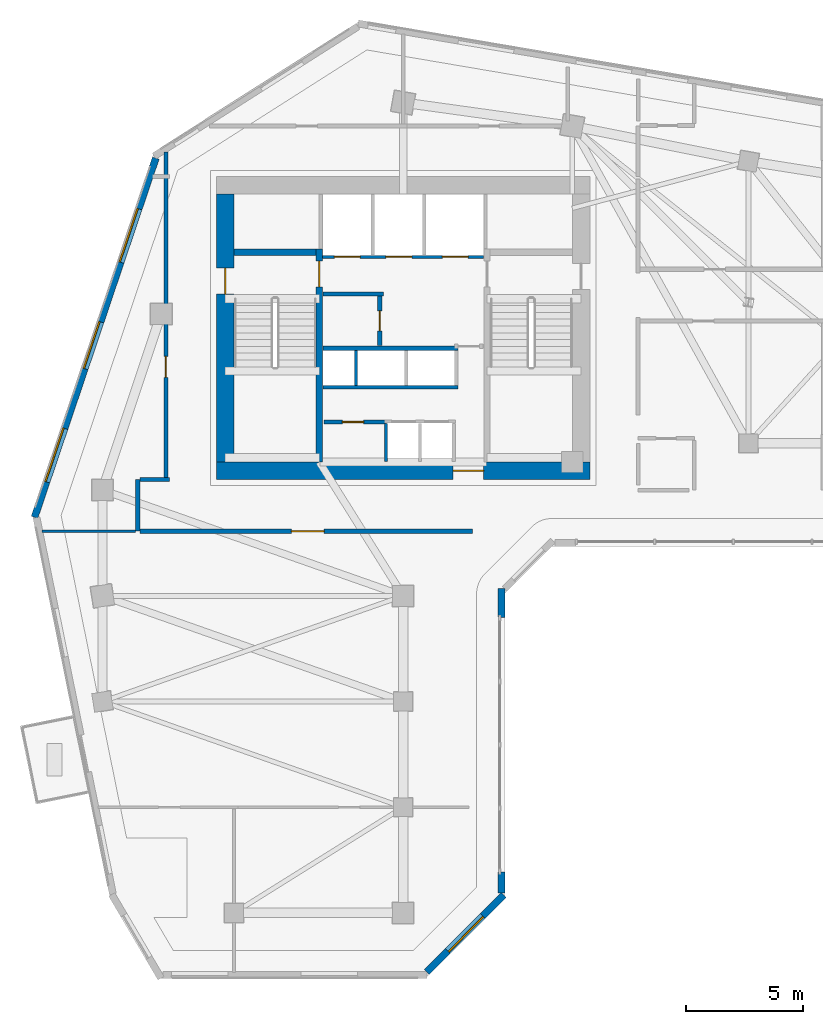
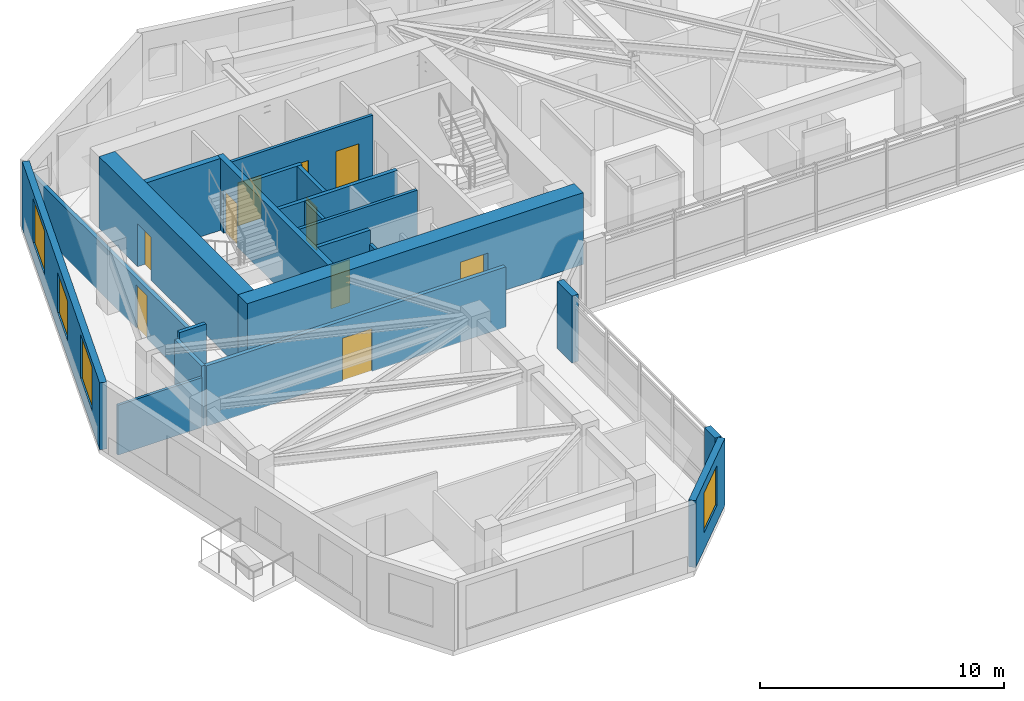
# One storey, part 5 of 11: 21 walls, 10 doors, 4 windows, 14 openings.
"""IFC4 building model written with IfcOpenShell, lengths in metres."""

from ifc_helpers import new_model, si_unit, direction, frame, frame_2d, origin, place, context, subcontext, project, spatial, rectangle, extrude, source, transform, mapped, material, layer, layer_set, type_object, element, fill, save


model = new_model("IFC4")

# Units and contexts
model_context = context("Model", 3, precision=1e-05, world=origin(), true_north=direction((0.0, 1.0)))
body_context = subcontext(model_context, "Body", "Model", "MODEL_VIEW")
ifc_project = project(units=[si_unit("LENGTHUNIT", "METRE"), si_unit("AREAUNIT", "SQUARE_METRE"), si_unit("VOLUMEUNIT", "CUBIC_METRE"), si_unit("PLANEANGLEUNIT", "RADIAN"), si_unit("MASSUNIT", "GRAM", prefix="KILO")], contexts=[model_context])

# Site, building, storey
site_placement = place(None, origin())
site = spatial("IfcSite", under=ifc_project, at=site_placement, CompositionType="ELEMENT")
building_placement = place(site_placement, origin())
building = spatial("IfcBuilding", under=site, at=building_placement, Name="Calvemar Wedge Station Tower", CompositionType="ELEMENT")
storey_placement = place(building_placement, frame((0.0, 0.0, 161.0)))
storey = spatial("IfcBuildingStorey", under=building, at=storey_placement, Name="L40", CompositionType="ELEMENT", Elevation=161.0)

# Wall, opening, door
ifc_material_1 = material(Name="Concrete C50", Category="concrete")
ifc_layer_1 = layer(ifc_material_1, 0.260009765625)
ifc_layer_set_1 = layer_set([ifc_layer_1], Name="Concrete C50")
wall_type_1 = type_object("IfcWallType", Name="SW-CORE-260", PredefinedType="SHEAR", material=ifc_layer_set_1)
wall_1_placement = place(storey_placement, frame((20.22998046875, 34.199951171875, 0.0), z_axis=(0.0, 0.0, 1.0), x_axis=(0.0, 1.0, 0.0)))
wall_1 = element("IfcWall", 1, at=wall_1_placement, inside=storey, type_object=wall_type_1, Name="Storey L40 Core Shear Wall SPINE-W", PredefinedType="SHEAR", context=body_context, shape_type="SweptSolid", body=[
    extrude(rectangle(XDim=9.06005859375, YDim=0.260009765625, at=frame_2d((4.530029296875, 0.0))), origin(), (0.0, 0.0, 1.0), 3.60009765625),
])
shared_shape_1 = source(origin(), body_context, "Body", "SweptSolid", [
    extrude(rectangle(XDim=1.10009765625, YDim=2.14990234375, at=frame_2d((0.550048828125, 1.074951171875))), frame((0.0, 0.14013671875, 0.0), z_axis=(0.0, -1.0, 0.0), x_axis=(1.0, 0.0, 0.0)), (0.0, 0.0, 1.0), 0.280029296875),
])
opening_1_placement = place(wall_1_placement, frame((7.449951171875, 0.0, 0.0)))
opening_1 = element("IfcOpeningElement", 2, at=opening_1_placement, cuts=wall_1, Name="Opening FD-90", PredefinedType="OPENING", context=body_context, shape_type="MappedRepresentation", body=[
    mapped(shared_shape_1, transform((0.0, 0.0, 0.0), scale=1.0)),
])
ifc_material_2 = material(Name="Galvanized fire-rated steel door leaf P-90", Category="steel")
door_type_1 = type_object("IfcDoorType", Name="DR-FD90-1100", OperationType="NOTDEFINED", PredefinedType="DOOR", material=ifc_material_2)
shared_shape_2 = source(origin(), body_context, "Body", "SweptSolid", [
    extrude(rectangle(XDim=1.10009765625, YDim=2.14990234375, at=frame_2d((0.550048828125, 1.074951171875))), frame((0.0, 0.02490234375, 0.0), z_axis=(0.0, -1.0, 0.0), x_axis=(1.0, 0.0, 0.0)), (0.0, 0.0, 1.0), 0.050048828125),
])
door_1_placement = place(opening_1_placement, origin())
door_1 = element("IfcDoor", 3, at=door_1_placement, inside=storey, type_object=door_type_1, Name="L40 FF Lobby to Stair ST-C1 Door", OperationType="SINGLE_SWING_RIGHT", OverallHeight=2.14990234375, OverallWidth=1.10009765625, PredefinedType="DOOR", context=body_context, shape_type="MappedRepresentation", body=[
    mapped(shared_shape_2, transform((0.0, 0.0, 0.0), scale=1.0)),
])
fill(opening_1, door_1)

# Wall
wall_2_placement = place(storey_placement, frame((16.60009765625, 43.1298828125, 0.0), z_axis=(0.0, 0.0, 1.0), x_axis=(1.0, 0.0, 0.0)))
element("IfcWall", 4, at=wall_2_placement, inside=storey, type_object=wall_type_1, Name="Storey L40 Core Shear Wall STC1-N", PredefinedType="SHEAR", context=body_context, shape_type="SweptSolid", body=[
    extrude(rectangle(XDim=3.5, YDim=0.260009765625, at=frame_2d((1.75, 0.0))), origin(), (0.0, 0.0, 1.0), 3.60009765625),
])

# Wall, opening, door
ifc_material_3 = material(Name="Concrete C70", Category="concrete")
ifc_layer_2 = layer(ifc_material_3, 0.75)
ifc_layer_set_2 = layer_set([ifc_layer_2], Name="Concrete C70")
wall_type_2 = type_object("IfcWallType", Name="SW-CORE-750", PredefinedType="SHEAR", material=ifc_layer_set_2)
wall_3_placement = place(storey_placement, frame((15.85009765625, 33.824951171875, 0.0), z_axis=(0.0, 0.0, 1.0), x_axis=(1.0, 0.0, 0.0)))
wall_3 = element("IfcWall", 5, at=wall_3_placement, inside=storey, type_object=wall_type_2, Name="Storey L40 Core Shear Wall S", PredefinedType="SHEAR", context=body_context, shape_type="SweptSolid", body=[
    extrude(rectangle(XDim=15.89990234375, YDim=0.75, at=frame_2d((7.949951171875, 0.0))), origin(), (0.0, 0.0, 1.0), 3.60009765625),
])
shared_shape_3 = source(origin(), body_context, "Body", "SweptSolid", [
    extrude(rectangle(XDim=1.300048828125, YDim=2.14990234375, at=frame_2d((0.64990234375, 1.074951171875))), frame((0.0, 0.385009765625, 0.0), z_axis=(0.0, -1.0, 0.0), x_axis=(1.0, 0.0, 0.0)), (0.0, 0.0, 1.0), 0.77001953125),
])
opening_2_placement = place(wall_3_placement, frame((10.080078125, 0.0, 0.0)))
opening_2 = element("IfcOpeningElement", 6, at=opening_2_placement, cuts=wall_3, Name="Opening DD-130", PredefinedType="OPENING", context=body_context, shape_type="MappedRepresentation", body=[
    mapped(shared_shape_3, transform((0.0, 0.0, 0.0), scale=1.0)),
])
ifc_material_4 = material(Name="Double-leaf lift lobby fire door EI 60")
door_type_2 = type_object("IfcDoorType", Name="DR-DBL-1300", OperationType="DOUBLE_DOOR_SINGLE_SWING", PredefinedType="DOOR", material=ifc_material_4)
shared_shape_4 = source(origin(), body_context, "Body", "SweptSolid", [
    extrude(rectangle(XDim=1.300048828125, YDim=2.14990234375, at=frame_2d((0.64990234375, 1.074951171875))), frame((0.0, 0.02490234375, 0.0), z_axis=(0.0, -1.0, 0.0), x_axis=(1.0, 0.0, 0.0)), (0.0, 0.0, 1.0), 0.050048828125),
])
door_2_placement = place(opening_2_placement, origin())
door_2 = element("IfcDoor", 7, at=door_2_placement, inside=storey, type_object=door_type_2, Name="L40 Passenger Lift Lobby Door", OperationType="DOUBLE_DOOR_SINGLE_SWING", OverallHeight=2.14990234375, OverallWidth=1.300048828125, PredefinedType="DOOR", context=body_context, shape_type="MappedRepresentation", body=[
    mapped(shared_shape_4, transform((0.0, 0.0, 0.0), scale=1.0)),
])
fill(opening_2, door_2)

wall_4_placement = place(storey_placement, frame((16.22509765625, 34.199951171875, 0.0), z_axis=(0.0, 0.0, 1.0), x_axis=(0.0, 1.0, 0.0)))
wall_4 = element("IfcWall", 8, at=wall_4_placement, inside=storey, type_object=wall_type_2, Name="Storey L40 Core Shear Wall W", PredefinedType="SHEAR", context=body_context, shape_type="SweptSolid", body=[
    extrude(rectangle(XDim=11.400146484375, YDim=0.75, at=frame_2d((5.7001953125, 0.0))), origin(), (0.0, 0.0, 1.0), 3.60009765625),
])
shared_shape_5 = source(origin(), body_context, "Body", "SweptSolid", [
    extrude(rectangle(XDim=1.10009765625, YDim=2.14990234375, at=frame_2d((0.550048828125, 1.074951171875))), frame((0.0, 0.385009765625, 0.0), z_axis=(0.0, -1.0, 0.0), x_axis=(1.0, 0.0, 0.0)), (0.0, 0.0, 1.0), 0.77001953125),
])
opening_3_placement = place(wall_4_placement, frame((7.14990234375, 0.0, 0.0)))
opening_3 = element("IfcOpeningElement", 9, at=opening_3_placement, cuts=wall_4, Name="Opening FD-90", PredefinedType="OPENING", context=body_context, shape_type="MappedRepresentation", body=[
    mapped(shared_shape_5, transform((0.0, 0.0, 0.0), scale=1.0)),
])
door_3_placement = place(opening_3_placement, origin())
door_3 = element("IfcDoor", 10, at=door_3_placement, inside=storey, type_object=door_type_1, Name="L40 West Corridor to Exit Stair ST-C1 Door", OperationType="SINGLE_SWING_RIGHT", OverallHeight=2.14990234375, OverallWidth=1.10009765625, PredefinedType="DOOR", context=body_context, shape_type="MappedRepresentation", body=[
    mapped(shared_shape_2, transform((0.0, 0.0, 0.0), scale=1.0)),
])
fill(opening_3, door_3)

# Wall
ifc_material_5 = material(Name="Double-stud fire-rated corridor partition")
ifc_layer_3 = layer(ifc_material_5, 0.179931640625)
ifc_layer_set_3 = layer_set([ifc_layer_3], Name="Double-stud fire-rated corridor partition")
wall_type_3 = type_object("IfcWallType", Name="W-CORR-180", PredefinedType="PARTITIONING", material=ifc_layer_set_3)
wall_5_placement = place(storey_placement, frame((22.9599609375, 41.35009765625, 0.0), z_axis=(0.0, 0.0, 1.0), x_axis=(-1.0, 0.0, 0.0)))
element("IfcWall", 11, at=wall_5_placement, inside=storey, type_object=wall_type_3, Name="Storey L40 Interior Partition WL-L40-001", PredefinedType="PARTITIONING", context=body_context, shape_type="SweptSolid", body=[
    extrude(rectangle(XDim=2.580078125, YDim=0.179931640625, at=frame_2d((1.2900390625, 0.0))), origin(), (0.0, 0.0, 1.0), 3.35009765625),
])

# Wall, opening, door
wall_6_placement = place(storey_placement, frame((22.800048828125, 41.256103515625, 0.0), z_axis=(0.0, 0.0, 1.0), x_axis=(0.0, -1.0, 0.0)))
wall_6 = element("IfcWall", 12, at=wall_6_placement, inside=storey, type_object=wall_type_3, Name="Storey L40 Interior Partition WL-L40-002", PredefinedType="PARTITIONING", context=body_context, shape_type="SweptSolid", body=[
    extrude(rectangle(XDim=2.106201171875, YDim=0.179931640625, at=frame_2d((1.05322265625, 0.0))), origin(), (0.0, 0.0, 1.0), 3.35009765625),
])
shared_shape_6 = source(origin(), body_context, "Body", "SweptSolid", [
    extrude(rectangle(XDim=0.85009765625, YDim=2.14990234375, at=frame_2d((0.425048828125, 1.074951171875))), frame((0.0, 0.10009765625, 0.0), z_axis=(0.0, -1.0, 0.0), x_axis=(1.0, 0.0, 0.0)), (0.0, 0.0, 1.0), 0.199951171875),
])
opening_4_placement = place(wall_6_placement, frame((0.6279296875, 0.0, 0.0)))
opening_4 = element("IfcOpeningElement", 13, at=opening_4_placement, cuts=wall_6, Name="Opening FD-60S", PredefinedType="OPENING", context=body_context, shape_type="MappedRepresentation", body=[
    mapped(shared_shape_6, transform((0.0, 0.0, 0.0), scale=1.0)),
])
ifc_material_6 = material(Name="Fire-rated steel and hardwood service door EI 60", Category="steel")
door_type_3 = type_object("IfcDoorType", Name="DR-CORE-FD60-850", OperationType="NOTDEFINED", PredefinedType="DOOR", material=ifc_material_6)
shared_shape_7 = source(origin(), body_context, "Body", "SweptSolid", [
    extrude(rectangle(XDim=0.85009765625, YDim=2.14990234375, at=frame_2d((0.425048828125, 1.074951171875))), frame((0.0, 0.02490234375, 0.0), z_axis=(0.0, -1.0, 0.0), x_axis=(1.0, 0.0, 0.0)), (0.0, 0.0, 1.0), 0.050048828125),
])
door_4_placement = place(opening_4_placement, origin())
door_4 = element("IfcDoor", 14, at=door_4_placement, inside=storey, type_object=door_type_3, Name="L40 Core Electrical Switch Room Door", OperationType="SINGLE_SWING_RIGHT", OverallHeight=2.14990234375, OverallWidth=0.85009765625, PredefinedType="DOOR", context=body_context, shape_type="MappedRepresentation", body=[
    mapped(shared_shape_7, transform((0.0, 0.0, 0.0), scale=1.0)),
])
fill(opening_4, door_4)

wall_7_placement = place(storey_placement, frame((20.419921875, 35.89990234375, 0.0), z_axis=(0.0, 0.0, 1.0), x_axis=(1.0, 0.0, 0.0)))
wall_7 = element("IfcWall", 15, at=wall_7_placement, inside=storey, type_object=wall_type_3, Name="Storey L40 Interior Partition WL-L40-004", PredefinedType="PARTITIONING", context=body_context, shape_type="SweptSolid", body=[
    extrude(rectangle(XDim=2.6201171875, YDim=0.179931640625, at=frame_2d((1.31005859375, 0.0))), origin(), (0.0, 0.0, 1.0), 3.35009765625),
])
shared_shape_8 = source(origin(), body_context, "Body", "SweptSolid", [
    extrude(rectangle(XDim=0.89990234375, YDim=2.14990234375, at=frame_2d((0.449951171875, 1.074951171875))), frame((0.0, 0.10009765625, 0.0), z_axis=(0.0, -1.0, 0.0), x_axis=(1.0, 0.0, 0.0)), (0.0, 0.0, 1.0), 0.199951171875),
])
opening_5_placement = place(wall_7_placement, frame((0.795654296875, 0.0, 0.0)))
opening_5 = element("IfcOpeningElement", 16, at=opening_5_placement, cuts=wall_7, Name="Opening FD-60", PredefinedType="OPENING", context=body_context, shape_type="MappedRepresentation", body=[
    mapped(shared_shape_8, transform((0.0, 0.0, 0.0), scale=1.0)),
])
ifc_material_7 = material(Name="Fire-rated acoustic timber-core entrance door EI 60", Category="wood")
door_type_4 = type_object("IfcDoorType", Name="DR-FD60-900", OperationType="NOTDEFINED", PredefinedType="DOOR", material=ifc_material_7)
shared_shape_9 = source(origin(), body_context, "Body", "SweptSolid", [
    extrude(rectangle(XDim=0.89990234375, YDim=2.14990234375, at=frame_2d((0.449951171875, 1.074951171875))), frame((0.0, 0.02490234375, 0.0), z_axis=(0.0, -1.0, 0.0), x_axis=(1.0, 0.0, 0.0)), (0.0, 0.0, 1.0), 0.050048828125),
])
door_5_placement = place(opening_5_placement, origin())
door_5 = element("IfcDoor", 17, at=door_5_placement, inside=storey, type_object=door_type_4, Name="L40 Housekeeping Store Door", OperationType="SINGLE_SWING_RIGHT", OverallHeight=2.14990234375, OverallWidth=0.89990234375, PredefinedType="DOOR", context=body_context, shape_type="MappedRepresentation", body=[
    mapped(shared_shape_9, transform((0.0, 0.0, 0.0), scale=1.0)),
])
fill(opening_5, door_5)

# Walls
wall_8_placement = place(storey_placement, frame((12.5, 31.25, 0.0), z_axis=(0.0, 0.0, 1.0), x_axis=(0.0, 1.0, 0.0)))
element("IfcWall", 18, at=wall_8_placement, inside=storey, type_object=wall_type_3, Name="Storey L40 Interior Partition WL-L40-005", PredefinedType="PARTITIONING", context=body_context, shape_type="SweptSolid", body=[
    extrude(rectangle(XDim=2.199951171875, YDim=0.179931640625, at=frame_2d((1.10009765625, 0.0))), origin(), (0.0, 0.0, 1.0), 3.01904296875),
])
wall_9_placement = place(storey_placement, frame((12.593994140625, 33.449951171875, 0.0), z_axis=(0.0, 0.0, 1.0), x_axis=(1.0, 0.0, 0.0)))
element("IfcWall", 19, at=wall_9_placement, inside=storey, type_object=wall_type_3, Name="Storey L40 Interior Partition WL-L40-006", PredefinedType="PARTITIONING", context=body_context, shape_type="SweptSolid", body=[
    extrude(rectangle(XDim=1.26611328125, YDim=0.179931640625, at=frame_2d((0.633056640625, 0.0))), origin(), (0.0, 0.0, 1.0), 3.35009765625),
])

# Wall, opening, door
wall_10_placement = place(storey_placement, frame((26.760009765625, 31.25, 0.0), z_axis=(0.0, 0.0, 1.0), x_axis=(-1.0, 0.0, 0.0)))
wall_10 = element("IfcWall", 20, at=wall_10_placement, inside=storey, type_object=wall_type_3, Name="Storey L40 Interior Partition WL-L40-007", PredefinedType="PARTITIONING", context=body_context, shape_type="SweptSolid", body=[
    extrude(rectangle(XDim=14.166015625, YDim=0.179931640625, at=frame_2d((7.0830078125, 0.0))), origin(), (0.0, 0.0, 1.0), 3.01904296875),
])
shared_shape_10 = source(origin(), body_context, "Body", "SweptSolid", [
    extrude(rectangle(XDim=1.39990234375, YDim=2.14990234375, at=frame_2d((0.699951171875, 1.074951171875))), frame((0.0, 0.10009765625, 0.0), z_axis=(0.0, -1.0, 0.0), x_axis=(1.0, 0.0, 0.0)), (0.0, 0.0, 1.0), 0.199951171875),
])
opening_6_placement = place(wall_10_placement, frame((6.322509765625, 0.0, 0.0)))
opening_6 = element("IfcOpeningElement", 21, at=opening_6_placement, cuts=wall_10, Name="Opening DD-140", PredefinedType="OPENING", context=body_context, shape_type="MappedRepresentation", body=[
    mapped(shared_shape_10, transform((0.0, 0.0, 0.0), scale=1.0)),
])
ifc_material_8 = material(Name="Double-leaf corridor acoustic fire door EI 60")
door_type_5 = type_object("IfcDoorType", Name="DR-DBL-1400", OperationType="DOUBLE_DOOR_SINGLE_SWING", PredefinedType="DOOR", material=ifc_material_8)
shared_shape_11 = source(origin(), body_context, "Body", "SweptSolid", [
    extrude(rectangle(XDim=1.39990234375, YDim=2.14990234375, at=frame_2d((0.699951171875, 1.074951171875))), frame((0.0, 0.02490234375, 0.0), z_axis=(0.0, -1.0, 0.0), x_axis=(1.0, 0.0, 0.0)), (0.0, 0.0, 1.0), 0.050048828125),
])
door_6_placement = place(opening_6_placement, origin())
door_6 = element("IfcDoor", 22, at=door_6_placement, inside=storey, type_object=door_type_5, Name="L40 Sky Spa Wellness Lounge Door", OperationType="SINGLE_SWING_RIGHT", OverallHeight=2.14990234375, OverallWidth=1.39990234375, PredefinedType="DOOR", context=body_context, shape_type="MappedRepresentation", body=[
    mapped(shared_shape_11, transform((0.0, 0.0, 0.0), scale=1.0)),
])
fill(opening_6, door_6)

wall_11_placement = place(storey_placement, frame((13.699951171875, 33.5439453125, 0.0), z_axis=(0.0, 0.0, 1.0), x_axis=(0.0, 1.0, 0.0)))
wall_11 = element("IfcWall", 23, at=wall_11_placement, inside=storey, type_object=wall_type_3, Name="Storey L40 Interior Partition WL-L40-008", PredefinedType="PARTITIONING", context=body_context, shape_type="SweptSolid", body=[
    extrude(rectangle(XDim=13.860107421875, YDim=0.179931640625, at=frame_2d((6.93017578125, 0.0))), origin(), (0.0, 0.0, 1.0), 2.491943359375),
])
opening_7_placement = place(wall_11_placement, frame((4.252685546875, 0.0, 0.0)))
opening_7 = element("IfcOpeningElement", 24, at=opening_7_placement, cuts=wall_11, Name="Opening D-01", PredefinedType="OPENING", context=body_context, shape_type="MappedRepresentation", body=[
    mapped(shared_shape_8, transform((0.0, 0.0, 0.0), scale=1.0)),
])
ifc_material_9 = material(Name="Architectural hardwood acoustic swing door", Category="wood")
door_type_6 = type_object("IfcDoorType", Name="DR-INT-900", OperationType="NOTDEFINED", PredefinedType="DOOR", material=ifc_material_9)
shared_shape_12 = source(origin(), body_context, "Body", "SweptSolid", [
    extrude(rectangle(XDim=0.89990234375, YDim=2.14990234375, at=frame_2d((0.449951171875, 1.074951171875))), frame((0.0, 0.02490234375, 0.0), z_axis=(0.0, -1.0, 0.0), x_axis=(1.0, 0.0, 0.0)), (0.0, 0.0, 1.0), 0.050048828125),
])
door_7_placement = place(opening_7_placement, origin())
door_7 = element("IfcDoor", 25, at=door_7_placement, inside=storey, type_object=door_type_6, Name="L40 Executive Lounge Door", OperationType="SINGLE_SWING_LEFT", OverallHeight=2.14990234375, OverallWidth=0.89990234375, PredefinedType="DOOR", context=body_context, shape_type="MappedRepresentation", body=[
    mapped(shared_shape_12, transform((0.0, 0.0, 0.0), scale=1.0)),
])
fill(opening_7, door_7)

# Wall, opening, window
ifc_material_10 = material(Name="Precast concrete C45", Category="concrete")
ifc_layer_4 = layer(ifc_material_10, 0.300048828125)
ifc_layer_set_4 = layer_set([ifc_layer_4], Name="Precast concrete C45")
wall_type_4 = type_object("IfcWallType", Name="W-EXT-GFRC-300", PredefinedType="SOLIDWALL", material=ifc_layer_set_4)
wall_12_placement = place(storey_placement, frame((24.803955078125, 12.488037109375, 0.0), z_axis=(0.0, 0.0, 1.0), x_axis=(0.70708046583, 0.707133095564, 0.0)))
wall_12 = element("IfcWall", 26, at=wall_12_placement, inside=storey, type_object=wall_type_4, Name="Storey L40 Bronze GFRC Exterior Wall 3", PredefinedType="SOLIDWALL", context=body_context, shape_type="SweptSolid", body=[
    extrude(rectangle(XDim=4.638916015625, YDim=0.300048828125, at=frame_2d((2.3193359375, 0.0))), origin(), (0.0, 0.0, 1.0), 3.35009765625),
])
shared_shape_13 = source(origin(), body_context, "Body", "SweptSolid", [
    extrude(rectangle(XDim=2.10009765625, YDim=2.0, at=frame_2d((1.050048828125, 1.0))), frame((0.0, 0.16015625, 0.0), z_axis=(0.0, -1.0, 0.0), x_axis=(1.0, 0.0, 0.0)), (0.0, 0.0, 1.0), 0.320068359375),
])
opening_8_placement = place(wall_12_placement, frame((1.26904296875, 0.0, 0.85009765625)))
opening_8 = element("IfcOpeningElement", 27, at=opening_8_placement, cuts=wall_12, Name="Opening W4", PredefinedType="OPENING", context=body_context, shape_type="MappedRepresentation", body=[
    mapped(shared_shape_13, transform((0.0, 0.0, 0.0), scale=1.0)),
])
ifc_material_11 = material(Name="Low-E laminated insulated glass", Category="glass")
window_type_1 = type_object("IfcWindowType", Name="WIN-EXT-4", PartitioningType="SINGLE_PANEL", PredefinedType="WINDOW", material=ifc_material_11)
shared_shape_14 = source(origin(), body_context, "Body", "SweptSolid", [
    extrude(rectangle(XDim=2.10009765625, YDim=2.0, at=frame_2d((1.050048828125, 1.0))), frame((0.0, -0.014892578125, 0.0), z_axis=(0.0, -1.0, 0.0), x_axis=(1.0, 0.0, 0.0)), (0.0, 0.0, 1.0), 0.06005859375),
])
window_1_placement = place(opening_8_placement, origin())
window_1 = element("IfcWindow", 28, at=window_1_placement, inside=storey, type_object=window_type_1, Name="Storey L40 Recessed Window 3.1", OverallHeight=2.0, OverallWidth=2.10009765625, PartitioningType="SINGLE_PANEL", PredefinedType="WINDOW", context=body_context, shape_type="MappedRepresentation", body=[
    mapped(shared_shape_14, transform((0.0, 0.0, 0.0), scale=1.0)),
])
fill(opening_8, window_1)

# Walls
wall_13_placement = place(storey_placement, frame((27.97802734375, 15.857421875, 0.0), z_axis=(0.0, 0.0, 1.0), x_axis=(0.0, 1.0, 0.0)))
element("IfcWall", 29, at=wall_13_placement, inside=storey, type_object=wall_type_4, Name="Storey L40 Bronze GFRC Corner Pier 4A", PredefinedType="SOLIDWALL", context=body_context, shape_type="SweptSolid", body=[
    extrude(rectangle(XDim=0.882080078125, YDim=0.300048828125, at=frame_2d((0.44091796875, 0.0))), origin(), (0.0, 0.0, 1.0), 3.35009765625),
])
wall_14_placement = place(storey_placement, frame((27.97802734375, 27.57666015625, 0.0), z_axis=(0.0, 0.0, 1.0), x_axis=(0.0, 1.0, 0.0)))
element("IfcWall", 30, at=wall_14_placement, inside=storey, type_object=wall_type_4, Name="Storey L40 Bronze GFRC Corner Pier 4B", PredefinedType="SOLIDWALL", context=body_context, shape_type="SweptSolid", body=[
    extrude(rectangle(XDim=1.2275390625, YDim=0.300048828125, at=frame_2d((0.61376953125, 0.0))), origin(), (0.0, 0.0, 1.0), 3.35009765625),
])

# Wall, openings, windows
wall_15_placement = place(storey_placement, frame((13.2685546875, 47.1337890625, 0.0), z_axis=(0.0, 0.0, 1.0), x_axis=(-0.319929773322, -0.947441259468, 0.0)))
wall_15 = element("IfcWall", 31, at=wall_15_placement, inside=storey, type_object=wall_type_4, Name="Storey L40 Bronze GFRC Exterior Wall 12", PredefinedType="SOLIDWALL", context=body_context, shape_type="SweptSolid", body=[
    extrude(rectangle(XDim=16.133544921875, YDim=0.300048828125, at=frame_2d((8.06689453125, 0.0))), origin(), (0.0, 0.0, 1.0), 3.35009765625),
])
shared_shape_15 = source(origin(), body_context, "Body", "SweptSolid", [
    extrude(rectangle(XDim=2.39990234375, YDim=2.199951171875, at=frame_2d((1.199951171875, 1.10009765625))), frame((0.0, 0.16015625, 0.0), z_axis=(0.0, -1.0, 0.0), x_axis=(1.0, 0.0, 0.0)), (0.0, 0.0, 1.0), 0.320068359375),
])
opening_9_placement = place(wall_15_placement, frame((2.27587890625, 0.0, 0.85009765625)))
opening_9 = element("IfcOpeningElement", 32, at=opening_9_placement, cuts=wall_15, Name="Opening W1", PredefinedType="OPENING", context=body_context, shape_type="MappedRepresentation", body=[
    mapped(shared_shape_15, transform((0.0, 0.0, 0.0), scale=1.0)),
])
opening_10_placement = place(wall_15_placement, frame((7.361083984375, 0.0, 0.85009765625)))
opening_10 = element("IfcOpeningElement", 33, at=opening_10_placement, cuts=wall_15, Name="Opening W4", PredefinedType="OPENING", context=body_context, shape_type="MappedRepresentation", body=[
    mapped(shared_shape_13, transform((0.0, 0.0, 0.0), scale=1.0)),
])
opening_11_placement = place(wall_15_placement, frame((12.14599609375, 0.0, 0.85009765625)))
opening_11 = element("IfcOpeningElement", 34, at=opening_11_placement, cuts=wall_15, Name="Opening W1", PredefinedType="OPENING", context=body_context, shape_type="MappedRepresentation", body=[
    mapped(shared_shape_15, transform((0.0, 0.0, 0.0), scale=1.0)),
])
window_2_placement = place(opening_10_placement, origin())
window_2 = element("IfcWindow", 35, at=window_2_placement, inside=storey, type_object=window_type_1, Name="Storey L40 Recessed Window 12.2", OverallHeight=2.0, OverallWidth=2.10009765625, PartitioningType="SINGLE_PANEL", PredefinedType="WINDOW", context=body_context, shape_type="MappedRepresentation", body=[
    mapped(shared_shape_14, transform((0.0, 0.0, 0.0), scale=1.0)),
])
fill(opening_10, window_2)
window_type_2 = type_object("IfcWindowType", Name="WIN-EXT-1", PartitioningType="SINGLE_PANEL", PredefinedType="WINDOW", material=ifc_material_11)
shared_shape_16 = source(origin(), body_context, "Body", "SweptSolid", [
    extrude(rectangle(XDim=2.39990234375, YDim=2.199951171875, at=frame_2d((1.199951171875, 1.10009765625))), frame((0.0, -0.014892578125, 0.0), z_axis=(0.0, -1.0, 0.0), x_axis=(1.0, 0.0, 0.0)), (0.0, 0.0, 1.0), 0.06005859375),
])
window_3_placement = place(opening_9_placement, origin())
window_3 = element("IfcWindow", 36, at=window_3_placement, inside=storey, type_object=window_type_2, Name="Storey L40 Recessed Window 12.1", OverallHeight=2.199951171875, OverallWidth=2.39990234375, PartitioningType="SINGLE_PANEL", PredefinedType="WINDOW", context=body_context, shape_type="MappedRepresentation", body=[
    mapped(shared_shape_16, transform((0.0, 0.0, 0.0), scale=1.0)),
])
fill(opening_9, window_3)
window_4_placement = place(opening_11_placement, origin())
window_4 = element("IfcWindow", 37, at=window_4_placement, inside=storey, type_object=window_type_2, Name="Storey L40 Recessed Window 12.3", OverallHeight=2.199951171875, OverallWidth=2.39990234375, PartitioningType="SINGLE_PANEL", PredefinedType="WINDOW", context=body_context, shape_type="MappedRepresentation", body=[
    mapped(shared_shape_16, transform((0.0, 0.0, 0.0), scale=1.0)),
])
fill(opening_11, window_4)

# Wall, openings, doors
ifc_material_12 = material(Name="Reinforced concrete blockwork lift shaft wall", Category="masonry")
ifc_layer_5 = layer(ifc_material_12, 0.139892578125)
ifc_layer_set_5 = layer_set([ifc_layer_5], Name="Reinforced concrete blockwork lift shaft wall")
wall_type_5 = type_object("IfcWallType", Name="W-LIFT-160", PredefinedType="SOLIDWALL", material=ifc_layer_set_5)
wall_16_placement = place(storey_placement, frame((20.3701171875, 42.929931640625, 0.0), z_axis=(0.0, 0.0, 1.0), x_axis=(1.0, 0.0, 0.0)))
wall_16 = element("IfcWall", 38, at=wall_16_placement, inside=storey, type_object=wall_type_5, Name="Storey L40 Firefighting and Service Lift Shaft Front Wall", PredefinedType="SOLIDWALL", context=body_context, shape_type="SweptSolid", body=[
    extrude(rectangle(XDim=6.85986328125, YDim=0.139892578125, at=frame_2d((3.429931640625, 0.0))), origin(), (0.0, 0.0, 1.0), 3.35009765625),
])
shared_shape_17 = source(origin(), body_context, "Body", "SweptSolid", [
    extrude(rectangle(XDim=1.10009765625, YDim=2.14990234375, at=frame_2d((0.550048828125, 1.074951171875))), frame((0.0, 0.080078125, 0.0), z_axis=(0.0, -1.0, 0.0), x_axis=(1.0, 0.0, 0.0)), (0.0, 0.0, 1.0), 0.159912109375),
])
opening_12_placement = place(wall_16_placement, frame((0.5, 0.0, 0.0)))
opening_12 = element("IfcOpeningElement", 39, at=opening_12_placement, cuts=wall_16, Name="Opening LD-FF", PredefinedType="OPENING", context=body_context, shape_type="MappedRepresentation", body=[
    mapped(shared_shape_17, transform((0.0, 0.0, 0.0), scale=1.0)),
])
opening_13_placement = place(wall_16_placement, frame((2.699951171875, 0.0, 0.0)))
opening_13 = element("IfcOpeningElement", 40, at=opening_13_placement, cuts=wall_16, Name="Opening LD-FF", PredefinedType="OPENING", context=body_context, shape_type="MappedRepresentation", body=[
    mapped(shared_shape_17, transform((0.0, 0.0, 0.0), scale=1.0)),
])
opening_14_placement = place(wall_16_placement, frame((5.10009765625, 0.0, 0.0)))
opening_14 = element("IfcOpeningElement", 41, at=opening_14_placement, cuts=wall_16, Name="Opening LD-STN", PredefinedType="OPENING", context=body_context, shape_type="MappedRepresentation", body=[
    mapped(shared_shape_17, transform((0.0, 0.0, 0.0), scale=1.0)),
])
ifc_material_13 = material(Name="Stainless steel firefighting lift sliding landing door", Category="steel")
door_type_7 = type_object("IfcDoorType", Name="DR-LD-FF-1100", OperationType="SLIDING_TO_LEFT", PredefinedType="DOOR", material=ifc_material_13)
shared_shape_18 = source(origin(), body_context, "Body", "SweptSolid", [
    extrude(rectangle(XDim=1.10009765625, YDim=2.14990234375, at=frame_2d((0.550048828125, 1.074951171875))), frame((0.0, 0.02490234375, 0.0), z_axis=(0.0, -1.0, 0.0), x_axis=(1.0, 0.0, 0.0)), (0.0, 0.0, 1.0), 0.050048828125),
])
door_8_placement = place(opening_12_placement, origin())
door_8 = element("IfcDoor", 42, at=door_8_placement, inside=storey, type_object=door_type_7, Name="L40 Lift FF-01 Sliding Landing Door", OperationType="SLIDING_TO_LEFT", OverallHeight=2.14990234375, OverallWidth=1.10009765625, PredefinedType="DOOR", context=body_context, shape_type="MappedRepresentation", body=[
    mapped(shared_shape_18, transform((0.0, 0.0, 0.0), scale=1.0)),
])
fill(opening_12, door_8)
door_9_placement = place(opening_13_placement, origin())
door_9 = element("IfcDoor", 43, at=door_9_placement, inside=storey, type_object=door_type_7, Name="L40 Lift FF-02 Sliding Landing Door", OperationType="SLIDING_TO_RIGHT", OverallHeight=2.14990234375, OverallWidth=1.10009765625, PredefinedType="DOOR", context=body_context, shape_type="MappedRepresentation", body=[
    mapped(shared_shape_18, transform((0.0, 0.0, 0.0), scale=1.0)),
])
fill(opening_13, door_9)
ifc_material_14 = material(Name="Stainless steel transit lift sliding landing door", Category="steel")
door_type_8 = type_object("IfcDoorType", Name="DR-LD-PAX-1100", OperationType="SLIDING_TO_LEFT", PredefinedType="DOOR", material=ifc_material_14)
shared_shape_19 = source(origin(), body_context, "Body", "SweptSolid", [
    extrude(rectangle(XDim=1.10009765625, YDim=2.14990234375, at=frame_2d((0.550048828125, 1.074951171875))), frame((0.0, 0.02490234375, 0.0), z_axis=(0.0, -1.0, 0.0), x_axis=(1.0, 0.0, 0.0)), (0.0, 0.0, 1.0), 0.050048828125),
])
door_10_placement = place(opening_14_placement, origin())
door_10 = element("IfcDoor", 44, at=door_10_placement, inside=storey, type_object=door_type_8, Name="L40 Lift SV-01 Sliding Landing Door", OperationType="SLIDING_TO_LEFT", OverallHeight=2.14990234375, OverallWidth=1.10009765625, PredefinedType="DOOR", context=body_context, shape_type="MappedRepresentation", body=[
    mapped(shared_shape_19, transform((0.0, 0.0, 0.0), scale=1.0)),
])
fill(opening_14, door_10)

# Walls
wall_17_placement = place(storey_placement, frame((23.070068359375, 34.219970703125, 0.0), z_axis=(0.0, 0.0, 1.0), x_axis=(0.0, 1.0, 0.0)))
element("IfcWall", 45, at=wall_17_placement, inside=storey, type_object=wall_type_5, Name="Storey L40 South Passenger Lift Shaft Wall W", PredefinedType="SOLIDWALL", context=body_context, shape_type="SweptSolid", body=[
    extrude(rectangle(XDim=1.6201171875, YDim=0.139892578125, at=frame_2d((0.81005859375, 0.0))), origin(), (0.0, 0.0, 1.0), 2.64208984375),
])
wall_18_placement = place(storey_placement, frame((20.3798828125, 37.3798828125, 0.0), z_axis=(0.0, 0.0, 1.0), x_axis=(1.0, 0.0, 0.0)))
element("IfcWall", 46, at=wall_18_placement, inside=storey, type_object=wall_type_5, Name="Storey L40 Upper Passenger Lift Bank Front Wall", PredefinedType="SOLIDWALL", context=body_context, shape_type="SweptSolid", body=[
    extrude(rectangle(XDim=5.75, YDim=0.139892578125, at=frame_2d((2.875, 0.0))), origin(), (0.0, 0.0, 1.0), 3.35009765625),
])
wall_19_placement = place(storey_placement, frame((21.794921875, 37.4599609375, 0.0), z_axis=(0.0, 0.0, 1.0), x_axis=(0.0, 1.0, 0.0)))
element("IfcWall", 47, at=wall_19_placement, inside=storey, type_object=wall_type_5, Name="Storey L40 Upper Passenger Lift Shaft Wall D1", PredefinedType="SOLIDWALL", context=body_context, shape_type="SweptSolid", body=[
    extrude(rectangle(XDim=1.47998046875, YDim=0.139892578125, at=frame_2d((0.739990234375, 0.0))), origin(), (0.0, 0.0, 1.0), 3.35009765625),
])
ifc_material_15 = material(Name="Insulated acoustic gypsum stud partition")
ifc_layer_6 = layer(ifc_material_15, 0.125)
ifc_layer_set_6 = layer_set([ifc_layer_6], Name="Insulated acoustic gypsum stud partition")
wall_type_6 = type_object("IfcWallType", Name="W-PART-125", PredefinedType="PARTITIONING", material=ifc_layer_set_6)
wall_20_placement = place(storey_placement, frame((12.406005859375, 31.25, 0.0), z_axis=(0.0, 0.0, 1.0), x_axis=(-1.0, 0.0, 0.0)))
element("IfcWall", 48, at=wall_20_placement, inside=storey, type_object=wall_type_6, Name="Storey L40 Interior Partition WL-L40-015", PredefinedType="PARTITIONING", context=body_context, shape_type="SweptSolid", body=[
    extrude(rectangle(XDim=3.9833984375, YDim=0.125, at=frame_2d((1.99169921875, 0.0))), origin(), (0.0, 0.0, 1.0), 2.491943359375),
])
ifc_material_16 = material(Name="Concrete blockwork and fireboard shaft wall", Category="masonry")
ifc_layer_7 = layer(ifc_material_16, 0.199951171875)
ifc_layer_set_7 = layer_set([ifc_layer_7], Name="Concrete blockwork and fireboard shaft wall")
wall_type_7 = type_object("IfcWallType", Name="W-SHAFT-200", PredefinedType="SOLIDWALL", material=ifc_layer_set_7)
wall_21_placement = place(storey_placement, frame((20.3798828125, 39.0400390625, 0.0), z_axis=(0.0, 0.0, 1.0), x_axis=(1.0, 0.0, 0.0)))
element("IfcWall", 49, at=wall_21_placement, inside=storey, type_object=wall_type_7, Name="Storey L40 Upper Passenger Lift Bank Rear Shaft Wall", PredefinedType="SOLIDWALL", context=body_context, shape_type="SweptSolid", body=[
    extrude(rectangle(XDim=5.75, YDim=0.179931640625, at=frame_2d((2.875, 0.0))), origin(), (0.0, 0.0, 1.0), 3.35009765625),
])

save(model, "model.ifc")
